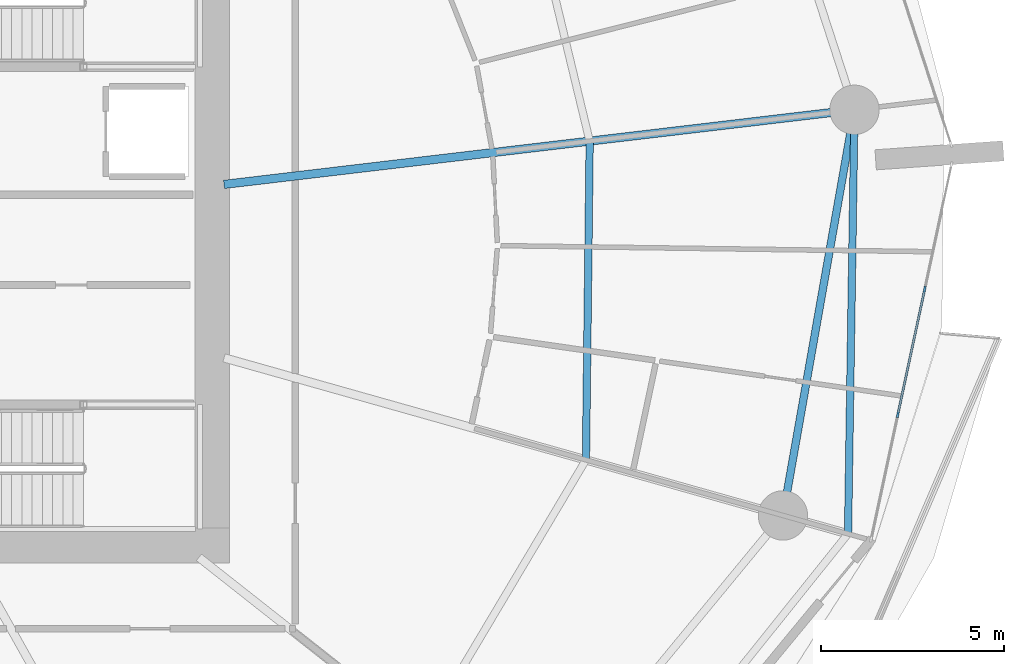
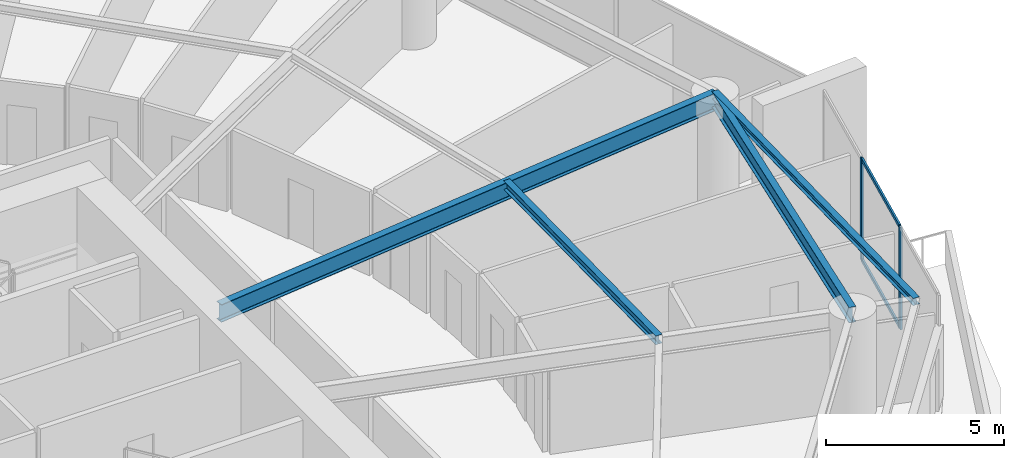
# One storey, part 11 of 31: 4 beams, 4 members, 1 element without a shape of its own.
"""IFC4 building model written with IfcOpenShell, lengths in metres."""

from ifc_helpers import new_model, si_unit, direction, frame, origin, origin_2d, place, context, subcontext, project, spatial, rectangle, i_section, extrude, material, layer, layer_set, material_profile, profile_set, type_object, element, aggregate, save


model = new_model("IFC4")

# Units and contexts
model_context = context("Model", 3, precision=1e-05, world=origin(), true_north=direction((0.0, 1.0)))
body_context = subcontext(model_context, "Body", "Model", "MODEL_VIEW")
ifc_project = project(units=[si_unit("LENGTHUNIT", "METRE"), si_unit("AREAUNIT", "SQUARE_METRE"), si_unit("VOLUMEUNIT", "CUBIC_METRE"), si_unit("PLANEANGLEUNIT", "RADIAN"), si_unit("MASSUNIT", "GRAM", prefix="KILO")], contexts=[model_context])

# Site, building, storey
site_placement = place(None, origin())
site = spatial("IfcSite", under=ifc_project, at=site_placement, CompositionType="ELEMENT")
building_placement = place(site_placement, origin())
building = spatial("IfcBuilding", under=site, at=building_placement, Name="Kazma Halo Residences", CompositionType="ELEMENT")
storey_placement = place(building_placement, frame((0.0, 0.0, 41.39990234375)))
storey = spatial("IfcBuildingStorey", under=building, at=storey_placement, Name="L09", CompositionType="ELEMENT", Elevation=41.39990234375)

# Beams
ifc_material_1 = material(Name="Steel S355", Category="steel")
ifc_material_profile_1 = material_profile(ifc_material_1, i_section(OverallWidth=0.201904296875, OverallDepth=0.2470703125, WebThickness=0.00732421875, FlangeThickness=0.010986328125, FilletRadius=0.011962890625, at=origin_2d()), Name="W250x49.1")
ifc_profile_set_1 = profile_set([ifc_material_profile_1], Name="Steel S355")
beam_type_1 = type_object("IfcBeamType", Name="BM-BAL-CANT", PredefinedType="BEAM", material=ifc_profile_set_1)
beam_1_placement = place(storey_placement, frame((76.92138671875, 33.84326171875, 3.376708984375), z_axis=(0.015213846033, 0.999884262747, 0.0), x_axis=(-0.999884262747, 0.015213846033, 0.0)))
element("IfcBeam", 1, at=beam_1_placement, inside=storey, type_object=beam_type_1, Name="L09 wave-balcony tie beam 15", PredefinedType="BEAM", context=body_context, shape_type="SweptSolid", body=[
    extrude(i_section(OverallWidth=0.201904296875, OverallDepth=0.2470703125, WebThickness=0.00732421875, FlangeThickness=0.010986328125, FilletRadius=0.011962890625, at=origin_2d()), origin(), (0.0, 0.0, 1.0), 11.602294921875),
])
ifc_material_profile_2 = material_profile(ifc_material_1, i_section(OverallWidth=0.22802734375, OverallDepth=0.60791015625, WebThickness=0.01123046875, FlangeThickness=0.017333984375, FilletRadius=0.01806640625, at=origin_2d()), Name="W610x113")
ifc_profile_set_2 = profile_set([ifc_material_profile_2], Name="Steel S355")
beam_type_2 = type_object("IfcBeamType", Name="BM-RAD-W610", PredefinedType="BEAM", material=ifc_profile_set_2)
beam_2_placement = place(storey_placement, frame((59.85009765625, 43.402587890625, 3.196044921875), z_axis=(0.993067839154, 0.117542617111, 0.0), x_axis=(-0.117542617111, 0.993067839154, 0.0)))
element("IfcBeam", 2, at=beam_2_placement, inside=storey, type_object=beam_type_2, Name="L09 radial floor beam 16", PredefinedType="BEAM", context=body_context, shape_type="SweptSolid", body=[
    extrude(i_section(OverallWidth=0.22802734375, OverallDepth=0.60791015625, WebThickness=0.01123046875, FlangeThickness=0.017333984375, FilletRadius=0.01806640625, at=origin_2d()), origin(), (0.0, 0.0, 1.0), 17.3681640625),
])
ifc_material_profile_3 = material_profile(ifc_material_1, i_section(OverallWidth=0.202880859375, OverallDepth=0.302978515625, WebThickness=0.007568359375, FlangeThickness=0.01318359375, FilletRadius=0.013916015625, at=origin_2d()), Name="W310x60")
ifc_profile_set_3 = profile_set([ifc_material_profile_3], Name="Steel S355")
beam_type_3 = type_object("IfcBeamType", Name="BM-SEC-W310A", PredefinedType="JOIST", material=ifc_profile_set_3)
beam_3_placement = place(storey_placement, frame((69.75146484375, 35.865478515625, 3.3486328125), z_axis=(0.011728659646, 0.999931216906, 0.0), x_axis=(-0.999931216906, 0.011728659646, 0.0)))
element("IfcBeam", 3, at=beam_3_placement, inside=storey, type_object=beam_type_3, Name="L09 circumferential floor joist 15", PredefinedType="JOIST", context=body_context, shape_type="SweptSolid", body=[
    extrude(i_section(OverallWidth=0.202880859375, OverallDepth=0.302978515625, WebThickness=0.007568359375, FlangeThickness=0.01318359375, FilletRadius=0.013916015625, at=origin_2d()), origin(), (0.0, 0.0, 1.0), 8.7216796875),
])
ifc_material_profile_4 = material_profile(ifc_material_1, i_section(OverallWidth=0.208984375, OverallDepth=0.532958984375, WebThickness=0.01025390625, FlangeThickness=0.015625, FilletRadius=0.01611328125, at=origin_2d()), Name="W530x92")
ifc_profile_set_4 = profile_set([ifc_material_profile_4], Name="Steel S355")
beam_type_4 = type_object("IfcBeamType", Name="BM-SPN-W530", PredefinedType="BEAM", material=ifc_profile_set_4)
beam_4_placement = place(storey_placement, frame((75.140869140625, 34.345458984375, 3.233642578125), z_axis=(0.173651864005, 0.984807103004, 0.0), x_axis=(-0.984807103004, 0.173651864005, 0.0)))
element("IfcBeam", 4, at=beam_4_placement, inside=storey, type_object=beam_type_4, Name="L09 perimeter ring beam 15", PredefinedType="BEAM", context=body_context, shape_type="SweptSolid", body=[
    extrude(i_section(OverallWidth=0.208984375, OverallDepth=0.532958984375, WebThickness=0.01025390625, FlangeThickness=0.015625, FilletRadius=0.01611328125, at=origin_2d()), origin(), (0.0, 0.0, 1.0), 11.269775390625),
])

# Curtain wall, members
ifc_material_2 = material(Name="Aluminium AW-6063 T6 and Triple-Silver Low-E Glass", Category="aluminium")
ifc_layer = layer(ifc_material_2, 0.159912109375)
ifc_layer_set = layer_set([ifc_layer], Name="Aluminium AW-6063 T6 and Triple-Silver Low-E Glass")
curtain_wall_type = type_object("IfcCurtainWallType", Name="CW-SYS-2", PredefinedType="NOTDEFINED", material=ifc_layer_set)
curtain_wall_placement = place(storey_placement, origin())
curtain_wall = element("IfcCurtainWall", 5, at=curtain_wall_placement, inside=storey, type_object=curtain_wall_type, Name="L09 unitised curtain wall B15", PredefinedType="NOTDEFINED")
ifc_material_3 = material(Name="Aluminium AW-6063 T6", Category="aluminium")
ifc_material_profile_5 = material_profile(ifc_material_3, rectangle(XDim=0.06005859375, YDim=0.159912109375, at=origin_2d()), Name="CWM-60x160")
ifc_profile_set_5 = profile_set([ifc_material_profile_5], Name="Aluminium AW-6063 T6")
member_type_1 = type_object("IfcMemberType", Name="CW-SYS-2-MUL", PredefinedType="MULLION", material=ifc_profile_set_5)
member_1_placement = place(storey_placement, frame((78.282958984375, 37.101318359375, 0.0), z_axis=(0.0, 0.0, 1.0), x_axis=(-0.977779215096, 0.209637321406, 0.0)))
member_1 = element("IfcMember", 6, at=member_1_placement, type_object=member_type_1, Name="CWS-2 mullion 2", PredefinedType="MULLION", context=body_context, shape_type="SweptSolid", body=[
    extrude(rectangle(XDim=0.06005859375, YDim=0.159912109375, at=origin_2d()), origin(), (0.0, 0.0, 1.0), 3.5),
])
member_2_placement = place(storey_placement, frame((79.019287109375, 40.53564453125, 0.0), z_axis=(0.0, 0.0, 1.0), x_axis=(-0.977779215096, 0.209637321406, 0.0)))
member_2 = element("IfcMember", 7, at=member_2_placement, type_object=member_type_1, Name="CWS-2 mullion 3", PredefinedType="MULLION", context=body_context, shape_type="SweptSolid", body=[
    extrude(rectangle(XDim=0.06005859375, YDim=0.159912109375, at=origin_2d()), origin(), (0.0, 0.0, 1.0), 3.5),
])
ifc_material_profile_6 = material_profile(ifc_material_3, rectangle(XDim=0.06005859375, YDim=0.1201171875, at=origin_2d()), Name="CWT-60x120")
ifc_profile_set_6 = profile_set([ifc_material_profile_6], Name="Aluminium AW-6063 T6")
member_type_2 = type_object("IfcMemberType", Name="CW-SYS-2-TRN", PredefinedType="USERDEFINED", material=ifc_profile_set_6)
member_3_placement = place(storey_placement, frame((78.289306640625, 37.130615234375, 0.030029296875), z_axis=(0.209669136217, 0.977772393412, 0.0), x_axis=(-0.977772393412, 0.209669136217, 0.0)))
member_3 = element("IfcMember", 8, at=member_3_placement, type_object=member_type_2, Name="CWS-2 transom 2.1", ObjectType="TRANSOM", PredefinedType="USERDEFINED", context=body_context, shape_type="SweptSolid", body=[
    extrude(rectangle(XDim=0.06005859375, YDim=0.1201171875, at=origin_2d()), origin(), (0.0, 0.0, 1.0), 3.452392578125),
])
member_4_placement = place(storey_placement, frame((78.289306640625, 37.130615234375, 3.47021484375), z_axis=(0.209669136217, 0.977772393412, 0.0), x_axis=(-0.977772393412, 0.209669136217, 0.0)))
member_4 = element("IfcMember", 9, at=member_4_placement, type_object=member_type_2, Name="CWS-2 transom 2.2", ObjectType="TRANSOM", PredefinedType="USERDEFINED", context=body_context, shape_type="SweptSolid", body=[
    extrude(rectangle(XDim=0.06005859375, YDim=0.1201171875, at=origin_2d()), origin(), (0.0, 0.0, 1.0), 3.452392578125),
])
aggregate(curtain_wall, [member_1, member_2, member_3, member_4])

save(model, "model.ifc")
